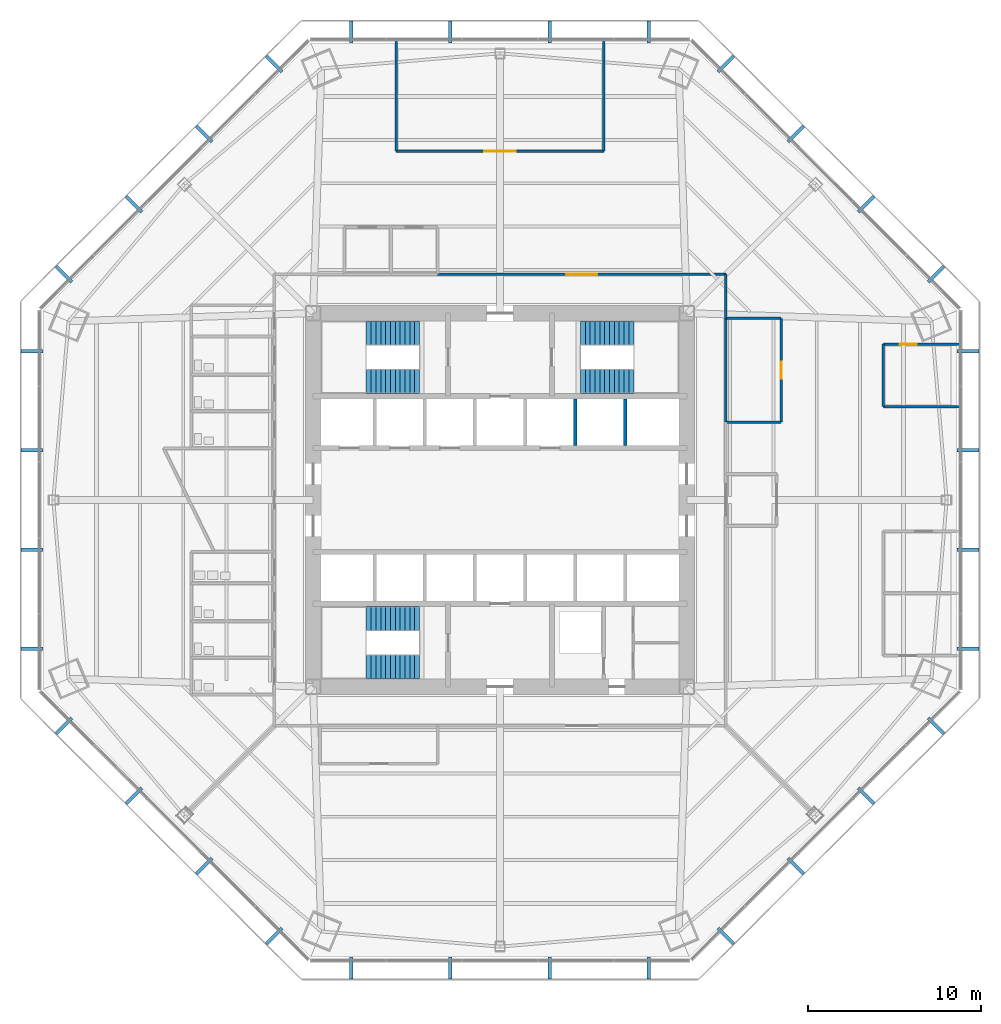
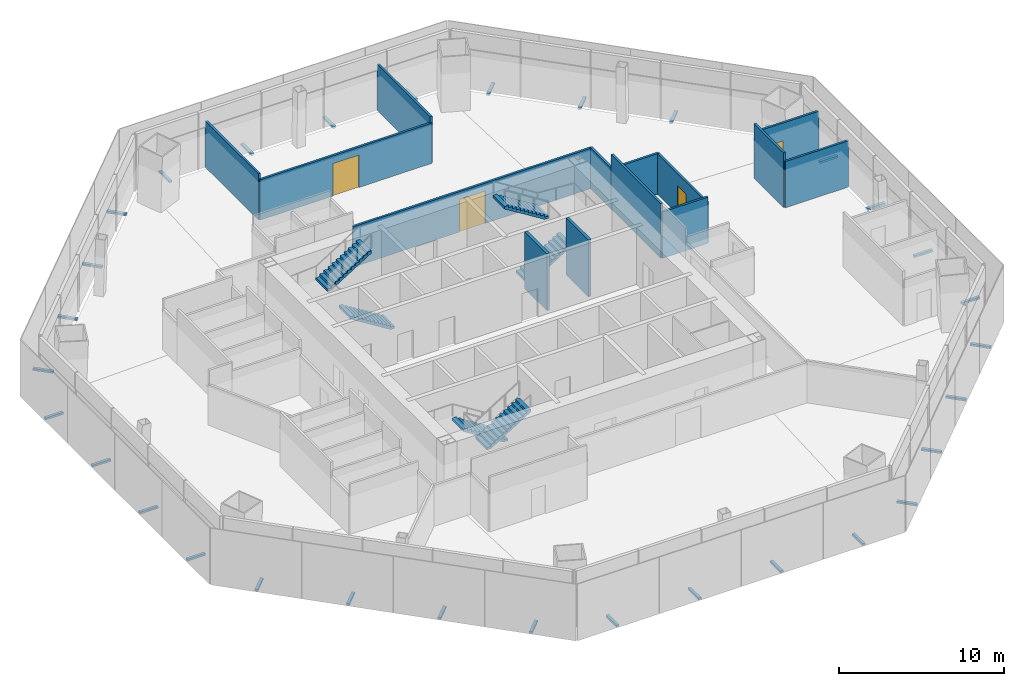
# One storey, part 10 of 13: 32 discrete accessories, 14 walls, 6 stair flights, 4 doors, 4 openings, 3 elements without a shape of their own.
"""IFC4 building model written with IfcOpenShell, lengths in metres."""

from ifc_helpers import new_model, si_unit, direction, frame, frame_2d, origin, origin_2d, place, context, subcontext, project, spatial, polyline, rectangle, outline, extrude, source, transform, mapped, material, layer, layer_set, type_object, type_shapes, element, fill, aggregate, save


model = new_model("IFC4")

# Units and contexts
model_context = context("Model", 3, precision=1e-05, world=origin(), true_north=direction((0.0, 1.0)))
body_context = subcontext(model_context, "Body", "Model", "MODEL_VIEW")
ifc_project = project(units=[si_unit("LENGTHUNIT", "METRE"), si_unit("AREAUNIT", "SQUARE_METRE"), si_unit("VOLUMEUNIT", "CUBIC_METRE"), si_unit("PLANEANGLEUNIT", "RADIAN"), si_unit("MASSUNIT", "GRAM", prefix="KILO")], contexts=[model_context])

# Site, building, storey
site_placement = place(None, origin())
site = spatial("IfcSite", under=ifc_project, at=site_placement, CompositionType="ELEMENT")
building_placement = place(site_placement, origin())
building = spatial("IfcBuilding", under=site, at=building_placement, Name="Mashrafa Tower", CompositionType="ELEMENT")
storey_placement = place(building_placement, frame((0.0, 0.0, 49.800048828125)))
storey = spatial("IfcBuildingStorey", under=building, at=storey_placement, Name="L10", CompositionType="ELEMENT", Elevation=49.800048828125)

# Walls
ifc_material_1 = material(Name="Gypsum board on steel studs", Category="steel")
ifc_layer_1 = layer(ifc_material_1, 0.14990234375)
ifc_layer_set_1 = layer_set([ifc_layer_1], Name="Corridor partition 150 1 hr")
wall_type_1 = type_object("IfcWallType", Name="Corridor partition 150 1 hr", PredefinedType="PARTITIONING", material=ifc_layer_set_1)
wall_1_placement = place(storey_placement, frame((13.050048828125, 4.4990234375, 0.0), z_axis=(0.0, 0.0, 1.0), x_axis=(0.0, 1.0, 0.0)))
element("IfcWall", 1, at=wall_1_placement, inside=storey, type_object=wall_type_1, Name="Corridor wall L10-011", PredefinedType="PARTITIONING", context=body_context, shape_type="SweptSolid", body=[
    extrude(rectangle(XDim=6.001953125, YDim=0.14990234375, at=frame_2d((3.0009765625, 0.0))), origin(), (0.0, 0.0, 1.0), 4.034912109375),
])
wall_2_placement = place(storey_placement, frame((13.050048828125, 10.4990234375, 0.0), z_axis=(0.0, 0.0, 1.0), x_axis=(0.0, 1.0, 0.0)))
element("IfcWall", 2, at=wall_2_placement, inside=storey, type_object=wall_type_1, Name="Corridor wall L10-018", PredefinedType="PARTITIONING", context=body_context, shape_type="SweptSolid", body=[
    extrude(rectangle(XDim=2.551025390625, YDim=0.14990234375, at=frame_2d((1.275390625, 0.0))), origin(), (0.0, 0.0, 1.0), 3.01416015625),
])

# Wall, opening, door
wall_3_placement = place(storey_placement, frame((13.050048828125, 13.050048828125, 0.0), z_axis=(0.0, 0.0, 1.0), x_axis=(-1.0, 0.0, 0.0)))
wall_3 = element("IfcWall", 3, at=wall_3_placement, inside=storey, type_object=wall_type_1, Name="Corridor wall L10-019", PredefinedType="PARTITIONING", context=body_context, shape_type="SweptSolid", body=[
    extrude(rectangle(XDim=16.651123046875, YDim=0.14990234375, at=frame_2d((8.32568359375, 0.0))), origin(), (0.0, 0.0, 1.0), 2.983642578125),
])
opening_1_placement = place(wall_3_placement, frame((7.425537109375, 0.0, 0.0)))
opening_1 = element("IfcOpeningElement", 4, at=opening_1_placement, cuts=wall_3, Name="Opening 10.020", PredefinedType="OPENING", context=body_context, shape_type="SweptSolid", body=[
    extrude(rectangle(XDim=1.800048828125, YDim=2.39990234375, at=frame_2d((0.89990234375, 1.199951171875))), frame((0.0, 0.0849609375, 0.0), z_axis=(0.0, -1.0, 0.0), x_axis=(1.0, 0.0, 0.0)), (0.0, 0.0, 1.0), 0.169921875),
])
ifc_material_2 = material(Name="Timber door", Category="wood")
door_type_1 = type_object("IfcDoorType", Name="Door pair 1800 x 2400", OperationType="DOUBLE_DOOR_SINGLE_SWING", PredefinedType="DOOR", material=ifc_material_2)
door_1_placement = place(opening_1_placement, origin())
door_1 = element("IfcDoor", 5, at=door_1_placement, inside=storey, type_object=door_type_1, Name="Trading Floor 10 door", OperationType="DOUBLE_DOOR_SINGLE_SWING", OverallHeight=2.39990234375, OverallWidth=1.800048828125, PredefinedType="DOOR", context=body_context, shape_type="SweptSolid", body=[
    extrude(rectangle(XDim=1.800048828125, YDim=2.39990234375, at=frame_2d((0.89990234375, 1.199951171875))), frame((0.0, 0.02490234375, 0.0), z_axis=(0.0, -1.0, 0.0), x_axis=(1.0, 0.0, 0.0)), (0.0, 0.0, 1.0), 0.050048828125),
])
fill(opening_1, door_1)

ifc_material_3 = material(Name="Gypsum board on steel studs", Category="steel")
ifc_layer_2 = layer(ifc_material_3, 0.14990234375)
ifc_layer_set_2 = layer_set([ifc_layer_2], Name="Partition 150")
wall_type_2 = type_object("IfcWallType", Name="Partition 150", PredefinedType="PARTITIONING", material=ifc_layer_set_2)
wall_4_placement = place(storey_placement, frame((26.58984375, 9.0, 0.0), z_axis=(0.0, 0.0, 1.0), x_axis=(-1.0, 0.0, 0.0)))
wall_4 = element("IfcWall", 6, at=wall_4_placement, inside=storey, type_object=wall_type_2, Name="Partition wall L10-050", PredefinedType="PARTITIONING", context=body_context, shape_type="SweptSolid", body=[
    extrude(rectangle(XDim=4.433837890625, YDim=0.14990234375, at=frame_2d((2.216796875, 0.0))), origin(), (0.0, 0.0, 1.0), 3.41796875),
])
opening_2_placement = place(wall_4_placement, frame((2.4990234375, 0.0, 0.0)))
opening_2 = element("IfcOpeningElement", 7, at=opening_2_placement, cuts=wall_4, Name="Opening 10.012", PredefinedType="OPENING", context=body_context, shape_type="SweptSolid", body=[
    extrude(rectangle(XDim=1.0, YDim=2.10009765625, at=frame_2d((0.5, 1.050048828125))), frame((0.0, 0.0849609375, 0.0), z_axis=(0.0, -1.0, 0.0), x_axis=(1.0, 0.0, 0.0)), (0.0, 0.0, 1.0), 0.169921875),
])
ifc_material_4 = material(Name="Timber door", Category="wood")
door_type_2 = type_object("IfcDoorType", Name="Door 1000 x 2100", OperationType="USERDEFINED", PredefinedType="DOOR", material=ifc_material_4)
door_2_placement = place(opening_2_placement, origin())
door_2 = element("IfcDoor", 8, at=door_2_placement, inside=storey, type_object=door_type_2, Name="Meeting Room 10-3 door", OperationType="SINGLE_SWING_RIGHT", OverallHeight=2.10009765625, OverallWidth=1.0, PredefinedType="DOOR", context=body_context, shape_type="SweptSolid", body=[
    extrude(rectangle(XDim=1.0, YDim=2.10009765625, at=frame_2d((0.5, 1.050048828125))), frame((0.0, 0.02490234375, 0.0), z_axis=(0.0, -1.0, 0.0), x_axis=(1.0, 0.0, 0.0)), (0.0, 0.0, 1.0), 0.050048828125),
])
fill(opening_2, door_2)

# Walls
wall_5_placement = place(storey_placement, frame((22.156005859375, 9.0, 0.0), z_axis=(0.0, 0.0, 1.0), x_axis=(0.0, -1.0, 0.0)))
element("IfcWall", 9, at=wall_5_placement, inside=storey, type_object=wall_type_2, Name="Partition wall L10-051", PredefinedType="PARTITIONING", context=body_context, shape_type="SweptSolid", body=[
    extrude(rectangle(XDim=3.60009765625, YDim=0.14990234375, at=frame_2d((1.800048828125, 0.0))), origin(), (0.0, 0.0, 1.0), 4.034912109375),
])
wall_6_placement = place(storey_placement, frame((22.156005859375, 5.39990234375, 0.0), z_axis=(0.0, 0.0, 1.0), x_axis=(1.0, 0.0, 0.0)))
element("IfcWall", 10, at=wall_6_placement, inside=storey, type_object=wall_type_2, Name="Partition wall L10-052", PredefinedType="PARTITIONING", context=body_context, shape_type="SweptSolid", body=[
    extrude(rectangle(XDim=4.431884765625, YDim=0.14990234375, at=frame_2d((2.2158203125, 0.0))), origin(), (0.0, 0.0, 1.0), 3.41796875),
])
wall_7_placement = place(storey_placement, frame((-6.0, 26.587890625, 0.0), z_axis=(0.0, 0.0, 1.0), x_axis=(0.0, -1.0, 0.0)))
element("IfcWall", 11, at=wall_7_placement, inside=storey, type_object=wall_type_2, Name="Partition wall L10-053", PredefinedType="PARTITIONING", context=body_context, shape_type="SweptSolid", body=[
    extrude(rectangle(XDim=6.431884765625, YDim=0.14990234375, at=frame_2d((3.2158203125, 0.0))), origin(), (0.0, 0.0, 1.0), 3.41796875),
])

# Wall, opening, door
wall_8_placement = place(storey_placement, frame((-6.0, 20.156005859375, 0.0), z_axis=(0.0, 0.0, 1.0), x_axis=(1.0, 0.0, 0.0)))
wall_8 = element("IfcWall", 12, at=wall_8_placement, inside=storey, type_object=wall_type_2, Name="Partition wall L10-054", PredefinedType="PARTITIONING", context=body_context, shape_type="SweptSolid", body=[
    extrude(rectangle(XDim=12.0, YDim=0.14990234375, at=frame_2d((6.0, 0.0))), origin(), (0.0, 0.0, 1.0), 2.983642578125),
])
opening_3_placement = place(wall_8_placement, frame((5.10009765625, 0.0, 0.0)))
opening_3 = element("IfcOpeningElement", 13, at=opening_3_placement, cuts=wall_8, Name="Opening 10.013", PredefinedType="OPENING", context=body_context, shape_type="SweptSolid", body=[
    extrude(rectangle(XDim=1.800048828125, YDim=2.39990234375, at=frame_2d((0.89990234375, 1.199951171875))), frame((0.0, 0.0849609375, 0.0), z_axis=(0.0, -1.0, 0.0), x_axis=(1.0, 0.0, 0.0)), (0.0, 0.0, 1.0), 0.169921875),
])
door_3_placement = place(opening_3_placement, origin())
door_3 = element("IfcDoor", 14, at=door_3_placement, inside=storey, type_object=door_type_1, Name="Training Room 10 door", OperationType="DOUBLE_DOOR_SINGLE_SWING", OverallHeight=2.39990234375, OverallWidth=1.800048828125, PredefinedType="DOOR", context=body_context, shape_type="SweptSolid", body=[
    extrude(rectangle(XDim=1.800048828125, YDim=2.39990234375, at=frame_2d((0.89990234375, 1.199951171875))), frame((0.0, 0.02490234375, 0.0), z_axis=(0.0, -1.0, 0.0), x_axis=(1.0, 0.0, 0.0)), (0.0, 0.0, 1.0), 0.050048828125),
])
fill(opening_3, door_3)

# Walls
wall_9_placement = place(storey_placement, frame((6.0, 20.156005859375, 0.0), z_axis=(0.0, 0.0, 1.0), x_axis=(0.0, 1.0, 0.0)))
element("IfcWall", 15, at=wall_9_placement, inside=storey, type_object=wall_type_2, Name="Partition wall L10-055", PredefinedType="PARTITIONING", context=body_context, shape_type="SweptSolid", body=[
    extrude(rectangle(XDim=6.431884765625, YDim=0.14990234375, at=frame_2d((3.2158203125, 0.0))), origin(), (0.0, 0.0, 1.0), 3.41796875),
])
wall_10_placement = place(storey_placement, frame((13.050048828125, 4.5, 0.0), z_axis=(0.0, 0.0, 1.0), x_axis=(1.0, 0.0, 0.0)))
element("IfcWall", 16, at=wall_10_placement, inside=storey, type_object=wall_type_2, Name="Partition wall L10-059", PredefinedType="PARTITIONING", context=body_context, shape_type="SweptSolid", body=[
    extrude(rectangle(XDim=3.199951171875, YDim=0.14990234375, at=frame_2d((1.60009765625, 0.0))), origin(), (0.0, 0.0, 1.0), 3.4228515625),
])

# Wall, opening, door
wall_11_placement = place(storey_placement, frame((16.25, 4.5, 0.0), z_axis=(0.0, 0.0, 1.0), x_axis=(0.0, 1.0, 0.0)))
wall_11 = element("IfcWall", 17, at=wall_11_placement, inside=storey, type_object=wall_type_2, Name="Partition wall L10-060", PredefinedType="PARTITIONING", context=body_context, shape_type="SweptSolid", body=[
    extrude(rectangle(XDim=6.0, YDim=0.14990234375, at=frame_2d((3.0, 0.0))), origin(), (0.0, 0.0, 1.0), 3.01416015625),
])
opening_4_placement = place(wall_11_placement, frame((2.5, 0.0, 0.0)))
opening_4 = element("IfcOpeningElement", 18, at=opening_4_placement, cuts=wall_11, Name="Opening 10.015", PredefinedType="OPENING", context=body_context, shape_type="SweptSolid", body=[
    extrude(rectangle(XDim=1.0, YDim=2.10009765625, at=frame_2d((0.5, 1.050048828125))), frame((0.0, 0.0849609375, 0.0), z_axis=(0.0, -1.0, 0.0), x_axis=(1.0, 0.0, 0.0)), (0.0, 0.0, 1.0), 0.169921875),
])
door_4_placement = place(opening_4_placement, origin())
door_4 = element("IfcDoor", 19, at=door_4_placement, inside=storey, type_object=door_type_2, Name="Staff Pantry 10 door", OperationType="SINGLE_SWING_LEFT", OverallHeight=2.10009765625, OverallWidth=1.0, PredefinedType="DOOR", context=body_context, shape_type="SweptSolid", body=[
    extrude(rectangle(XDim=1.0, YDim=2.10009765625, at=frame_2d((0.5, 1.050048828125))), frame((0.0, 0.02490234375, 0.0), z_axis=(0.0, -1.0, 0.0), x_axis=(1.0, 0.0, 0.0)), (0.0, 0.0, 1.0), 0.050048828125),
])
fill(opening_4, door_4)

# Walls
wall_12_placement = place(storey_placement, frame((16.25, 10.5, 0.0), z_axis=(0.0, 0.0, 1.0), x_axis=(-1.0, 0.0, 0.0)))
element("IfcWall", 20, at=wall_12_placement, inside=storey, type_object=wall_type_2, Name="Partition wall L10-061", PredefinedType="PARTITIONING", context=body_context, shape_type="SweptSolid", body=[
    extrude(rectangle(XDim=3.199951171875, YDim=0.14990234375, at=frame_2d((1.60009765625, 0.0))), origin(), (0.0, 0.0, 1.0), 3.01416015625),
])
ifc_material_5 = material(Name="Gypsum shaft wall on steel studs", Category="steel")
ifc_layer_3 = layer(ifc_material_5, 0.199951171875)
ifc_layer_set_3 = layer_set([ifc_layer_3], Name="Shaft divider wall 200 2 hr")
wall_type_3 = type_object("IfcWallType", Name="Shaft divider wall 200 2 hr", PredefinedType="PARTITIONING", material=ifc_layer_set_3)
for number, where, z_axis, x_axis, name in (
    (21, (4.35009765625, 3.14990234375, 0.0), (0.0, 0.0, 1.0), (0.0, 1.0, 0.0), "Shaft divider wall N5 L10"),
    (22, (7.25, 3.14990234375, 0.0), (0.0, 0.0, 1.0), (0.0, 1.0, 0.0), "Shaft divider wall N6 L10"),
):
    element("IfcWall", number, at=place(storey_placement, frame(where, z_axis=z_axis, x_axis=x_axis)), inside=storey, type_object=wall_type_3, Name=name, PredefinedType="PARTITIONING", context=body_context, shape_type="SweptSolid", body=[
        extrude(rectangle(XDim=2.7001953125, YDim=0.199951171875, at=frame_2d((1.35009765625, 0.0))), origin(), (0.0, 0.0, 1.0), 4.199951171875),
    ])

# Stair, stair flights
ifc_material_6 = material(Name="Exit stair 1400")
stair_type = type_object("IfcStairType", Name="Exit stair 1400", PredefinedType="HALF_TURN_STAIR", material=ifc_material_6)
stair_1_placement = place(storey_placement, origin())
stair_1 = element("IfcStair", 23, at=stair_1_placement, inside=storey, type_object=stair_type, Name="Stair S1 L10", PredefinedType="HALF_TURN_STAIR")
ifc_material_7 = material(Name="Concrete C32/40", Category="concrete")
stair_flight_type = type_object("IfcStairFlightType", Name="Stair flight 1400", PredefinedType="STRAIGHT", material=ifc_material_7)
stair_flight_1_placement = place(storey_placement, frame((-4.64990234375, 6.85009765625, 0.0), z_axis=(0.0, 0.0, 1.0), x_axis=(-1.0, 0.0, 0.0)))
stair_flight_1 = element("IfcStairFlight", 24, at=stair_flight_1_placement, type_object=stair_flight_type, Name="S1 flight 1", NumberOfRisers=12, NumberOfTreads=11, PredefinedType="STRAIGHT", RiserHeight=0.175, TreadLength=0.28, context=body_context, shape_type="SweptSolid", body=[
    extrude(outline(polyline([(0.0, 0.0), (0.0, 0.175048828125), (0.280029296875, 0.175048828125), (0.280029296875, 0.35009765625), (0.56005859375, 0.35009765625), (0.56005859375, 0.52490234375), (0.840087890625, 0.52490234375), (0.840087890625, 0.699951171875), (1.1201171875, 0.699951171875), (1.1201171875, 0.875), (1.39990234375, 0.875), (1.39990234375, 1.050048828125), (1.679931640625, 1.050048828125), (1.679931640625, 1.22509765625), (1.9599609375, 1.22509765625), (1.9599609375, 1.39990234375), (2.239990234375, 1.39990234375), (2.239990234375, 1.574951171875), (2.52001953125, 1.574951171875), (2.52001953125, 1.75), (2.800048828125, 1.75), (2.800048828125, 1.925048828125), (3.080078125, 1.925048828125), (3.080078125, 2.10009765625), (3.080078125, 1.748291015625), (0.28271484375, 0.0), (0.0, 0.0)])), frame((0.0, 0.699951171875, 0.0), z_axis=(0.0, -1.0, 0.0), x_axis=(1.0, 0.0, 0.0)), (0.0, 0.0, 1.0), 1.39990234375),
])
stair_flight_2_placement = place(storey_placement, frame((-7.72998046875, 9.64990234375, 2.099853515625), z_axis=(0.0, 0.0, 1.0), x_axis=(1.0, 0.0, 0.0)))
stair_flight_2 = element("IfcStairFlight", 25, at=stair_flight_2_placement, type_object=stair_flight_type, Name="S1 flight 2", NumberOfRisers=12, NumberOfTreads=11, PredefinedType="STRAIGHT", RiserHeight=0.175, TreadLength=0.28, context=body_context, shape_type="SweptSolid", body=[
    extrude(outline(polyline([(0.0, 0.0), (0.0, 0.175048828125), (0.280029296875, 0.175048828125), (0.280029296875, 0.35009765625), (0.56005859375, 0.35009765625), (0.56005859375, 0.52490234375), (0.840087890625, 0.52490234375), (0.840087890625, 0.699951171875), (1.1201171875, 0.699951171875), (1.1201171875, 0.875), (1.39990234375, 0.875), (1.39990234375, 1.050048828125), (1.679931640625, 1.050048828125), (1.679931640625, 1.22509765625), (1.9599609375, 1.22509765625), (1.9599609375, 1.39990234375), (2.239990234375, 1.39990234375), (2.239990234375, 1.574951171875), (2.52001953125, 1.574951171875), (2.52001953125, 1.75), (2.800048828125, 1.75), (2.800048828125, 1.925048828125), (3.080078125, 1.925048828125), (3.080078125, 2.10009765625), (3.080078125, 1.748291015625), (0.28271484375, 0.0), (0.0, 0.0)])), frame((0.0, 0.699951171875, 0.0), z_axis=(0.0, -1.0, 0.0), x_axis=(1.0, 0.0, 0.0)), (0.0, 0.0, 1.0), 1.39990234375),
])
aggregate(stair_1, [stair_flight_1, stair_flight_2])

stair_2_placement = place(storey_placement, origin())
stair_2 = element("IfcStair", 26, at=stair_2_placement, inside=storey, type_object=stair_type, Name="Stair S2 L10", PredefinedType="HALF_TURN_STAIR")
stair_flight_3_placement = place(storey_placement, frame((4.64990234375, 6.85009765625, 0.0), z_axis=(0.0, 0.0, 1.0), x_axis=(1.0, 0.0, 0.0)))
stair_flight_3 = element("IfcStairFlight", 27, at=stair_flight_3_placement, type_object=stair_flight_type, Name="S2 flight 1", NumberOfRisers=12, NumberOfTreads=11, PredefinedType="STRAIGHT", RiserHeight=0.175, TreadLength=0.28, context=body_context, shape_type="SweptSolid", body=[
    extrude(outline(polyline([(0.0, 0.0), (0.0, 0.175048828125), (0.280029296875, 0.175048828125), (0.280029296875, 0.35009765625), (0.56005859375, 0.35009765625), (0.56005859375, 0.52490234375), (0.840087890625, 0.52490234375), (0.840087890625, 0.699951171875), (1.1201171875, 0.699951171875), (1.1201171875, 0.875), (1.39990234375, 0.875), (1.39990234375, 1.050048828125), (1.679931640625, 1.050048828125), (1.679931640625, 1.22509765625), (1.9599609375, 1.22509765625), (1.9599609375, 1.39990234375), (2.239990234375, 1.39990234375), (2.239990234375, 1.574951171875), (2.52001953125, 1.574951171875), (2.52001953125, 1.75), (2.800048828125, 1.75), (2.800048828125, 1.925048828125), (3.080078125, 1.925048828125), (3.080078125, 2.10009765625), (3.080078125, 1.748291015625), (0.28271484375, 0.0), (0.0, 0.0)])), frame((0.0, 0.699951171875, 0.0), z_axis=(0.0, -1.0, 0.0), x_axis=(1.0, 0.0, 0.0)), (0.0, 0.0, 1.0), 1.39990234375),
])
stair_flight_4_placement = place(storey_placement, frame((7.72998046875, 9.64990234375, 2.099853515625), z_axis=(0.0, 0.0, 1.0), x_axis=(-1.0, 0.0, 0.0)))
stair_flight_4 = element("IfcStairFlight", 28, at=stair_flight_4_placement, type_object=stair_flight_type, Name="S2 flight 2", NumberOfRisers=12, NumberOfTreads=11, PredefinedType="STRAIGHT", RiserHeight=0.175, TreadLength=0.28, context=body_context, shape_type="SweptSolid", body=[
    extrude(outline(polyline([(0.0, 0.0), (0.0, 0.175048828125), (0.280029296875, 0.175048828125), (0.280029296875, 0.35009765625), (0.56005859375, 0.35009765625), (0.56005859375, 0.52490234375), (0.840087890625, 0.52490234375), (0.840087890625, 0.699951171875), (1.1201171875, 0.699951171875), (1.1201171875, 0.875), (1.39990234375, 0.875), (1.39990234375, 1.050048828125), (1.679931640625, 1.050048828125), (1.679931640625, 1.22509765625), (1.9599609375, 1.22509765625), (1.9599609375, 1.39990234375), (2.239990234375, 1.39990234375), (2.239990234375, 1.574951171875), (2.52001953125, 1.574951171875), (2.52001953125, 1.75), (2.800048828125, 1.75), (2.800048828125, 1.925048828125), (3.080078125, 1.925048828125), (3.080078125, 2.10009765625), (3.080078125, 1.748291015625), (0.28271484375, 0.0), (0.0, 0.0)])), frame((0.0, 0.699951171875, 0.0), z_axis=(0.0, -1.0, 0.0), x_axis=(1.0, 0.0, 0.0)), (0.0, 0.0, 1.0), 1.39990234375),
])
aggregate(stair_2, [stair_flight_3, stair_flight_4])

stair_3_placement = place(storey_placement, origin())
stair_3 = element("IfcStair", 29, at=stair_3_placement, inside=storey, type_object=stair_type, Name="Stair S3 L10", PredefinedType="HALF_TURN_STAIR")
stair_flight_5_placement = place(storey_placement, frame((-4.64990234375, -6.85009765625, 0.0), z_axis=(0.0, 0.0, 1.0), x_axis=(-1.0, 0.0, 0.0)))
stair_flight_5 = element("IfcStairFlight", 30, at=stair_flight_5_placement, type_object=stair_flight_type, Name="S3 flight 1", NumberOfRisers=12, NumberOfTreads=11, PredefinedType="STRAIGHT", RiserHeight=0.175, TreadLength=0.28, context=body_context, shape_type="SweptSolid", body=[
    extrude(outline(polyline([(0.0, 0.0), (0.0, 0.175048828125), (0.280029296875, 0.175048828125), (0.280029296875, 0.35009765625), (0.56005859375, 0.35009765625), (0.56005859375, 0.52490234375), (0.840087890625, 0.52490234375), (0.840087890625, 0.699951171875), (1.1201171875, 0.699951171875), (1.1201171875, 0.875), (1.39990234375, 0.875), (1.39990234375, 1.050048828125), (1.679931640625, 1.050048828125), (1.679931640625, 1.22509765625), (1.9599609375, 1.22509765625), (1.9599609375, 1.39990234375), (2.239990234375, 1.39990234375), (2.239990234375, 1.574951171875), (2.52001953125, 1.574951171875), (2.52001953125, 1.75), (2.800048828125, 1.75), (2.800048828125, 1.925048828125), (3.080078125, 1.925048828125), (3.080078125, 2.10009765625), (3.080078125, 1.748291015625), (0.28271484375, 0.0), (0.0, 0.0)])), frame((0.0, 0.699951171875, 0.0), z_axis=(0.0, -1.0, 0.0), x_axis=(1.0, 0.0, 0.0)), (0.0, 0.0, 1.0), 1.39990234375),
])
stair_flight_6_placement = place(storey_placement, frame((-7.72998046875, -9.64990234375, 2.099853515625), z_axis=(0.0, 0.0, 1.0), x_axis=(1.0, 0.0, 0.0)))
stair_flight_6 = element("IfcStairFlight", 31, at=stair_flight_6_placement, type_object=stair_flight_type, Name="S3 flight 2", NumberOfRisers=12, NumberOfTreads=11, PredefinedType="STRAIGHT", RiserHeight=0.175, TreadLength=0.28, context=body_context, shape_type="SweptSolid", body=[
    extrude(outline(polyline([(0.0, 0.0), (0.0, 0.175048828125), (0.280029296875, 0.175048828125), (0.280029296875, 0.35009765625), (0.56005859375, 0.35009765625), (0.56005859375, 0.52490234375), (0.840087890625, 0.52490234375), (0.840087890625, 0.699951171875), (1.1201171875, 0.699951171875), (1.1201171875, 0.875), (1.39990234375, 0.875), (1.39990234375, 1.050048828125), (1.679931640625, 1.050048828125), (1.679931640625, 1.22509765625), (1.9599609375, 1.22509765625), (1.9599609375, 1.39990234375), (2.239990234375, 1.39990234375), (2.239990234375, 1.574951171875), (2.52001953125, 1.574951171875), (2.52001953125, 1.75), (2.800048828125, 1.75), (2.800048828125, 1.925048828125), (3.080078125, 1.925048828125), (3.080078125, 2.10009765625), (3.080078125, 1.748291015625), (0.28271484375, 0.0), (0.0, 0.0)])), frame((0.0, 0.699951171875, 0.0), z_axis=(0.0, -1.0, 0.0), x_axis=(1.0, 0.0, 0.0)), (0.0, 0.0, 1.0), 1.39990234375),
])
aggregate(stair_3, [stair_flight_5, stair_flight_6])

# Discrete accessories
ifc_material_8 = material(Name="Stainless steel screen bracket", Category="steel")
discrete_accessory_type = type_object("IfcDiscreteAccessoryType", Name="Screen support bracket 200 x 150", PredefinedType="BRACKET", material=ifc_material_8)
shared_shape = source(origin(), body_context, "Body", "SweptSolid", [
    extrude(rectangle(XDim=0.199951171875, YDim=1.27001953125, at=origin_2d()), origin(), (0.0, 0.0, 1.0), 0.14990234375),
])
type_shapes(discrete_accessory_type, [shared_shape])
for number, where, z_axis, x_axis, name in (
    (32, (27.041015625, -8.59033203125, -0.14990234375), (0.0, 0.0, 1.0), (0.0, 1.0, 0.0), "Screen support bracket L10 east 1"),
    (33, (27.041015625, -2.863525390625, -0.14990234375), (0.0, 0.0, 1.0), (0.0, 1.0, 0.0), "Screen support bracket L10 east 2"),
    (34, (27.041015625, 2.863525390625, -0.14990234375), (0.0, 0.0, 1.0), (0.0, 1.0, 0.0), "Screen support bracket L10 east 3"),
    (35, (27.041015625, 8.59033203125, -0.14990234375), (0.0, 0.0, 1.0), (0.0, 1.0, 0.0), "Screen support bracket L10 east 4"),
    (36, (25.195068359375, 13.046630859375, -0.14990234375), (0.0, 0.0, 1.0), (-0.707106781187, 0.707106781187, 0.0), "Screen support bracket L10 north-east 1"),
    (37, (21.1455078125, 17.09619140625, -0.14990234375), (0.0, 0.0, 1.0), (-0.707106781187, 0.707106781187, 0.0), "Screen support bracket L10 north-east 2"),
    (38, (17.09619140625, 21.1455078125, -0.14990234375), (0.0, 0.0, 1.0), (-0.707106781187, 0.707106781187, 0.0), "Screen support bracket L10 north-east 3"),
    (39, (13.046630859375, 25.195068359375, -0.14990234375), (0.0, 0.0, 1.0), (-0.707106781187, 0.707106781187, 0.0), "Screen support bracket L10 north-east 4"),
    (40, (8.59033203125, 27.041015625, -0.14990234375), (0.0, 0.0, 1.0), (-1.0, 0.0, 0.0), "Screen support bracket L10 north 1"),
    (41, (2.863525390625, 27.041015625, -0.14990234375), (0.0, 0.0, 1.0), (-1.0, 0.0, 0.0), "Screen support bracket L10 north 2"),
    (42, (-2.863525390625, 27.041015625, -0.14990234375), (0.0, 0.0, 1.0), (-1.0, 0.0, 0.0), "Screen support bracket L10 north 3"),
    (43, (-8.59033203125, 27.041015625, -0.14990234375), (0.0, 0.0, 1.0), (-1.0, 0.0, 0.0), "Screen support bracket L10 north 4"),
    (44, (-13.046630859375, 25.195068359375, -0.14990234375), (0.0, 0.0, 1.0), (-0.707106781187, -0.707106781187, 0.0), "Screen support bracket L10 north-west 1"),
    (45, (-17.09619140625, 21.1455078125, -0.14990234375), (0.0, 0.0, 1.0), (-0.707106781187, -0.707106781187, 0.0), "Screen support bracket L10 north-west 2"),
    (46, (-21.1455078125, 17.09619140625, -0.14990234375), (0.0, 0.0, 1.0), (-0.707106781187, -0.707106781187, 0.0), "Screen support bracket L10 north-west 3"),
    (47, (-25.195068359375, 13.046630859375, -0.14990234375), (0.0, 0.0, 1.0), (-0.707106781187, -0.707106781187, 0.0), "Screen support bracket L10 north-west 4"),
    (48, (-27.041015625, 8.59033203125, -0.14990234375), (0.0, 0.0, 1.0), (0.0, -1.0, 0.0), "Screen support bracket L10 west 1"),
    (49, (-27.041015625, 2.863525390625, -0.14990234375), (0.0, 0.0, 1.0), (0.0, -1.0, 0.0), "Screen support bracket L10 west 2"),
    (50, (-27.041015625, -2.863525390625, -0.14990234375), (0.0, 0.0, 1.0), (0.0, -1.0, 0.0), "Screen support bracket L10 west 3"),
    (51, (-27.041015625, -8.59033203125, -0.14990234375), (0.0, 0.0, 1.0), (0.0, -1.0, 0.0), "Screen support bracket L10 west 4"),
    (52, (-25.195068359375, -13.046630859375, -0.14990234375), (0.0, 0.0, 1.0), (0.707106781187, -0.707106781187, 0.0), "Screen support bracket L10 south-west 1"),
    (53, (-21.1455078125, -17.09619140625, -0.14990234375), (0.0, 0.0, 1.0), (0.707106781187, -0.707106781187, 0.0), "Screen support bracket L10 south-west 2"),
    (54, (-17.09619140625, -21.1455078125, -0.14990234375), (0.0, 0.0, 1.0), (0.707106781187, -0.707106781187, 0.0), "Screen support bracket L10 south-west 3"),
    (55, (-13.046630859375, -25.195068359375, -0.14990234375), (0.0, 0.0, 1.0), (0.707106781187, -0.707106781187, 0.0), "Screen support bracket L10 south-west 4"),
    (56, (-8.59033203125, -27.041015625, -0.14990234375), (0.0, 0.0, 1.0), (1.0, 0.0, 0.0), "Screen support bracket L10 south 1"),
    (57, (-2.863525390625, -27.041015625, -0.14990234375), (0.0, 0.0, 1.0), (1.0, 0.0, 0.0), "Screen support bracket L10 south 2"),
    (58, (2.863525390625, -27.041015625, -0.14990234375), (0.0, 0.0, 1.0), (1.0, 0.0, 0.0), "Screen support bracket L10 south 3"),
    (59, (8.59033203125, -27.041015625, -0.14990234375), (0.0, 0.0, 1.0), (1.0, 0.0, 0.0), "Screen support bracket L10 south 4"),
    (60, (13.046630859375, -25.195068359375, -0.14990234375), (0.0, 0.0, 1.0), (0.707106781187, 0.707106781187, 0.0), "Screen support bracket L10 south-east 1"),
    (61, (17.09619140625, -21.1455078125, -0.14990234375), (0.0, 0.0, 1.0), (0.707106781187, 0.707106781187, 0.0), "Screen support bracket L10 south-east 2"),
    (62, (21.1455078125, -17.09619140625, -0.14990234375), (0.0, 0.0, 1.0), (0.707106781187, 0.707106781187, 0.0), "Screen support bracket L10 south-east 3"),
    (63, (25.195068359375, -13.046630859375, -0.14990234375), (0.0, 0.0, 1.0), (0.707106781187, 0.707106781187, 0.0), "Screen support bracket L10 south-east 4"),
):
    element("IfcDiscreteAccessory", number, at=place(storey_placement, frame(where, z_axis=z_axis, x_axis=x_axis)), inside=storey, type_object=discrete_accessory_type, Name=name, PredefinedType="BRACKET", context=body_context, shape_type="MappedRepresentation", body=[
        mapped(shared_shape, transform((0.0, 0.0, 0.0))),
    ])

save(model, "model.ifc")
